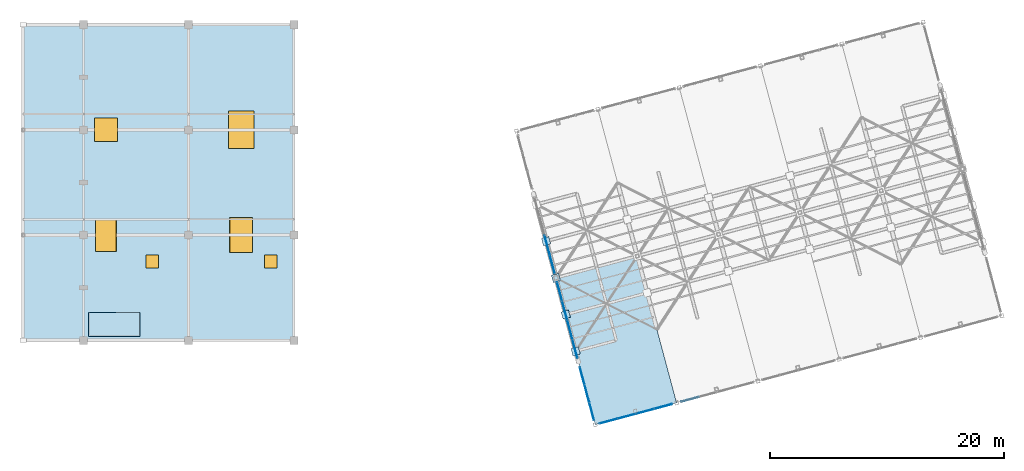
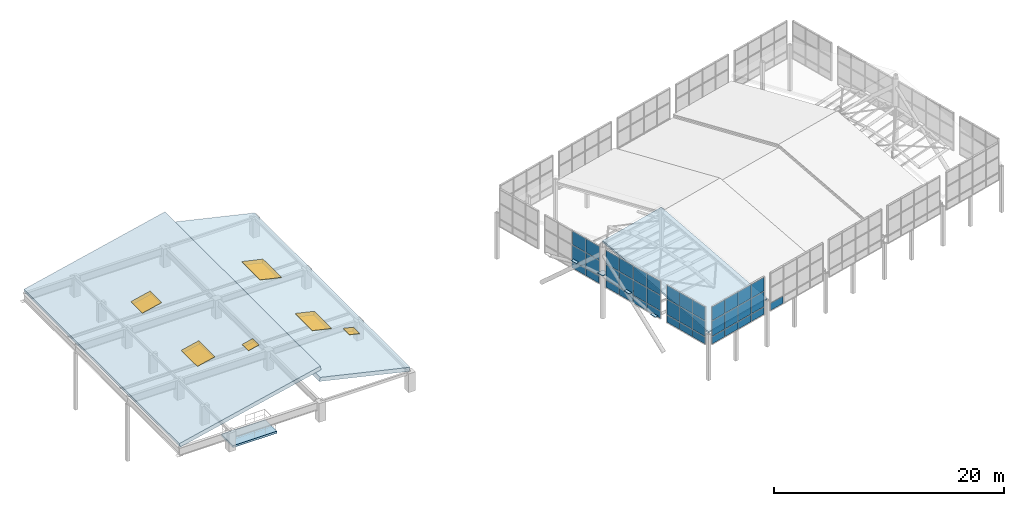
# One storey, part 23 of 28: 44 plates, 4 slabs, 4 windows, 2 doors, 6 openings, 5 elements without a shape of their own.
"""IFC4 building model written with IfcOpenShell, lengths in metres."""

from ifc_helpers import new_model, si_unit, direction, frame, origin, origin_2d, place, context, subcontext, project, spatial, polyline, rectangle, outline, extrude, material, layer, layer_set, type_object, element, fill, aggregate, save


model = new_model("IFC4")

# Units and contexts
model_context = context("Model", 3, precision=1e-05, world=origin(), true_north=direction((0.0, 1.0)))
body_context = subcontext(model_context, "Body", "Model", "MODEL_VIEW")
ifc_project = project(units=[si_unit("LENGTHUNIT", "METRE"), si_unit("AREAUNIT", "SQUARE_METRE"), si_unit("VOLUMEUNIT", "CUBIC_METRE"), si_unit("PLANEANGLEUNIT", "RADIAN"), si_unit("MASSUNIT", "GRAM", prefix="KILO")], contexts=[model_context])

# Site, building, storey
site_placement = place(None, origin())
site = spatial("IfcSite", under=ifc_project, at=site_placement, CompositionType="ELEMENT")
building_placement = place(site_placement, origin())
building = spatial("IfcBuilding", under=site, at=building_placement, Name="Ventoquebrada Cableway Terminal", CompositionType="ELEMENT")
storey_placement = place(building_placement, frame((0.0, 0.0, 23.39990234375)))
storey = spatial("IfcBuildingStorey", under=building, at=storey_placement, Name="RF", CompositionType="ELEMENT", Elevation=23.39990234375)

# Curtain wall, plates
ifc_material_1 = material(Name="Anodized thermally-broken aluminium", Category="aluminium")
ifc_layer_1 = layer(ifc_material_1, 0.159912109375)
ifc_layer_set_1 = layer_set([ifc_layer_1], Name="Anodized thermally-broken aluminium")
curtain_wall_type_1 = type_object("IfcCurtainWallType", Name="CW-T48", PredefinedType="USERDEFINED", material=ifc_layer_set_1)
curtain_wall_1_placement = place(storey_placement, origin())
curtain_wall_1 = element("IfcCurtainWall", 1, at=curtain_wall_1_placement, inside=storey, type_object=curtain_wall_type_1, Name="Unitised glazed curtain wall CW-151", ObjectType="UNITISED CURTAIN WALL", PredefinedType="USERDEFINED")
ifc_material_2 = material(Name="Double low-e laminated safety glazing", Category="glass")
ifc_layer_2 = layer(ifc_material_2, 0.031982421875)
ifc_layer_set_2 = layer_set([ifc_layer_2], Name="Double low-e laminated safety glazing")
plate_type_1 = type_object("IfcPlateType", Name="CWP-GL1", PredefinedType="CURTAIN_PANEL", material=ifc_layer_set_2)
plate_1_placement = place(storey_placement, frame((53.117919921875, 70.090087890625, 2.48876953125), z_axis=(0.0, 0.0, 1.0), x_axis=(0.965943892913, 0.258751610128, 0.0)))
plate_1 = element("IfcPlate", 2, at=plate_1_placement, type_object=plate_type_1, Name="Vision glazing panel PN-1545", PredefinedType="CURTAIN_PANEL", context=body_context, shape_type="SweptSolid", body=[
    extrude(rectangle(XDim=1.5458984375, YDim=0.031982421875, at=origin_2d()), origin(), (0.0, 0.0, 1.0), 1.447021484375),
])
plate_2_placement = place(storey_placement, frame((54.669921875, 70.506103515625, 0.82470703125), z_axis=(0.0, 0.0, 1.0), x_axis=(0.965943892913, 0.258751610128, 0.0)))
plate_2 = element("IfcPlate", 3, at=plate_2_placement, type_object=plate_type_1, Name="Vision glazing panel PN-1547", PredefinedType="CURTAIN_PANEL", context=body_context, shape_type="SweptSolid", body=[
    extrude(rectangle(XDim=1.5810546875, YDim=0.031982421875, at=origin_2d()), origin(), (0.0, 0.0, 1.0), 1.60498046875),
])
plate_3_placement = place(storey_placement, frame((56.239990234375, 70.926025390625, 2.48876953125), z_axis=(0.0, 0.0, 1.0), x_axis=(0.965943892913, 0.258751610128, 0.0)))
plate_3 = element("IfcPlate", 4, at=plate_3_placement, type_object=plate_type_1, Name="Vision glazing panel PN-1551", PredefinedType="CURTAIN_PANEL", context=body_context, shape_type="SweptSolid", body=[
    extrude(rectangle(XDim=1.5810546875, YDim=0.031982421875, at=origin_2d()), origin(), (0.0, 0.0, 1.0), 1.447021484375),
])
plate_4_placement = place(storey_placement, frame((57.79296875, 71.342041015625, 0.82470703125), z_axis=(0.0, 0.0, 1.0), x_axis=(0.965943892913, 0.258751610128, 0.0)))
plate_4 = element("IfcPlate", 5, at=plate_4_placement, type_object=plate_type_1, Name="Vision glazing panel PN-1553", PredefinedType="CURTAIN_PANEL", context=body_context, shape_type="SweptSolid", body=[
    extrude(rectangle(XDim=1.5458984375, YDim=0.031982421875, at=origin_2d()), origin(), (0.0, 0.0, 1.0), 1.60498046875),
])

ifc_layer_3 = layer(ifc_material_1, 0.159912109375)
ifc_layer_set_3 = layer_set([ifc_layer_3], Name="Anodized thermally-broken aluminium")
curtain_wall_type_2 = type_object("IfcCurtainWallType", Name="CW-T49", PredefinedType="USERDEFINED", material=ifc_layer_set_3)
curtain_wall_2_placement = place(storey_placement, origin())
curtain_wall_2 = element("IfcCurtainWall", 6, at=curtain_wall_2_placement, inside=storey, type_object=curtain_wall_type_2, Name="Unitised glazed curtain wall CW-161", ObjectType="UNITISED CURTAIN WALL", PredefinedType="USERDEFINED")
plate_5_placement = place(storey_placement, frame((50.85693359375, 73.968994140625, 2.48876953125), z_axis=(0.0, 0.0, 1.0), x_axis=(0.258717892168, -0.96595292446, 0.0)))
plate_5 = element("IfcPlate", 7, at=plate_5_placement, type_object=plate_type_1, Name="Vision glazing panel PN-1665", PredefinedType="CURTAIN_PANEL", context=body_context, shape_type="SweptSolid", body=[
    extrude(rectangle(XDim=1.52099609375, YDim=0.031982421875, at=origin_2d()), origin(), (0.0, 0.0, 1.0), 1.447021484375),
])
plate_6_placement = place(storey_placement, frame((51.26611328125, 72.43994140625, 0.82470703125), z_axis=(0.0, 0.0, 1.0), x_axis=(0.258717892168, -0.96595292446, 0.0)))
plate_6 = element("IfcPlate", 8, at=plate_6_placement, type_object=plate_type_1, Name="Vision glazing panel PN-1667", PredefinedType="CURTAIN_PANEL", context=body_context, shape_type="SweptSolid", body=[
    extrude(rectangle(XDim=1.555908203125, YDim=0.031982421875, at=origin_2d()), origin(), (0.0, 0.0, 1.0), 1.60498046875),
])
plate_7_placement = place(storey_placement, frame((51.675048828125, 70.912109375, 2.48876953125), z_axis=(0.0, 0.0, 1.0), x_axis=(0.258717892168, -0.96595292446, 0.0)))
plate_7 = element("IfcPlate", 9, at=plate_7_placement, type_object=plate_type_1, Name="Vision glazing panel PN-1671", PredefinedType="CURTAIN_PANEL", context=body_context, shape_type="SweptSolid", body=[
    extrude(rectangle(XDim=1.52099609375, YDim=0.031982421875, at=origin_2d()), origin(), (0.0, 0.0, 1.0), 1.447021484375),
])

ifc_layer_4 = layer(ifc_material_1, 0.159912109375)
ifc_layer_set_4 = layer_set([ifc_layer_4], Name="Anodized thermally-broken aluminium")
curtain_wall_type_3 = type_object("IfcCurtainWallType", Name="CW-T50", PredefinedType="USERDEFINED", material=ifc_layer_set_4)
curtain_wall_3_placement = place(storey_placement, origin())
curtain_wall_3 = element("IfcCurtainWall", 10, at=curtain_wall_3_placement, inside=storey, type_object=curtain_wall_type_3, Name="Unitised glazed curtain wall CW-162", ObjectType="UNITISED CURTAIN WALL", PredefinedType="USERDEFINED")
plate_8_placement = place(storey_placement, frame((48.928955078125, 81.1650390625, 2.48876953125), z_axis=(0.0, 0.0, 1.0), x_axis=(0.258835903649, -0.965921308897, 0.0)))
plate_8 = element("IfcPlate", 11, at=plate_8_placement, type_object=plate_type_1, Name="Vision glazing panel PN-1674", PredefinedType="CURTAIN_PANEL", context=body_context, shape_type="SweptSolid", body=[
    extrude(rectangle(XDim=1.62109375, YDim=0.031982421875, at=origin_2d()), origin(), (0.0, 0.0, 1.0), 1.447021484375),
])
plate_9_placement = place(storey_placement, frame((49.364013671875, 79.5400390625, 0.82470703125), z_axis=(0.0, 0.0, 1.0), x_axis=(0.258835903649, -0.965921308897, 0.0)))
plate_9 = element("IfcPlate", 12, at=plate_9_placement, type_object=plate_type_1, Name="Vision glazing panel PN-1676", PredefinedType="CURTAIN_PANEL", context=body_context, shape_type="SweptSolid", body=[
    extrude(rectangle(XDim=1.656005859375, YDim=0.031982421875, at=origin_2d()), origin(), (0.0, 0.0, 1.0), 1.60498046875),
])
plate_10_placement = place(storey_placement, frame((49.803955078125, 77.89794921875, 2.48876953125), z_axis=(0.0, 0.0, 1.0), x_axis=(0.258835903649, -0.965921308897, 0.0)))
plate_10 = element("IfcPlate", 13, at=plate_10_placement, type_object=plate_type_1, Name="Vision glazing panel PN-1680", PredefinedType="CURTAIN_PANEL", context=body_context, shape_type="SweptSolid", body=[
    extrude(rectangle(XDim=1.656005859375, YDim=0.031982421875, at=origin_2d()), origin(), (0.0, 0.0, 1.0), 1.447021484375),
])
plate_11_placement = place(storey_placement, frame((50.239013671875, 76.27294921875, 0.82470703125), z_axis=(0.0, 0.0, 1.0), x_axis=(0.258835903649, -0.965921308897, 0.0)))
plate_11 = element("IfcPlate", 14, at=plate_11_placement, type_object=plate_type_1, Name="Vision glazing panel PN-1682", PredefinedType="CURTAIN_PANEL", context=body_context, shape_type="SweptSolid", body=[
    extrude(rectangle(XDim=1.62109375, YDim=0.031982421875, at=origin_2d()), origin(), (0.0, 0.0, 1.0), 1.60498046875),
])

curtain_wall_4_placement = place(storey_placement, origin())
curtain_wall_4 = element("IfcCurtainWall", 15, at=curtain_wall_4_placement, inside=storey, type_object=curtain_wall_type_3, Name="Unitised glazed curtain wall CW-163", ObjectType="UNITISED CURTAIN WALL", PredefinedType="USERDEFINED")
plate_12_placement = place(storey_placement, frame((47.863037109375, 85.14208984375, 2.48876953125), z_axis=(0.0, 0.0, 1.0), x_axis=(0.258802186477, -0.965930343386, 0.0)))
plate_12 = element("IfcPlate", 16, at=plate_12_placement, type_object=plate_type_1, Name="Vision glazing panel PN-1692", PredefinedType="CURTAIN_PANEL", context=body_context, shape_type="SweptSolid", body=[
    extrude(rectangle(XDim=1.656005859375, YDim=0.031982421875, at=origin_2d()), origin(), (0.0, 0.0, 1.0), 1.447021484375),
])
plate_13_placement = place(storey_placement, frame((48.298095703125, 83.51708984375, 0.82470703125), z_axis=(0.0, 0.0, 1.0), x_axis=(0.258802186477, -0.965930343386, 0.0)))
plate_13 = element("IfcPlate", 17, at=plate_13_placement, type_object=plate_type_1, Name="Vision glazing panel PN-1694", PredefinedType="CURTAIN_PANEL", context=body_context, shape_type="SweptSolid", body=[
    extrude(rectangle(XDim=1.62109375, YDim=0.031982421875, at=origin_2d()), origin(), (0.0, 0.0, 1.0), 1.60498046875),
])

# Plate
ifc_layer_5 = layer(ifc_material_2, 0.0380859375)
ifc_layer_set_5 = layer_set([ifc_layer_5], Name="Double low-e laminated safety glazing")
plate_type_2 = type_object("IfcPlateType", Name="CWP-GL2", PredefinedType="CURTAIN_PANEL", material=ifc_layer_set_5)
plate_14_placement = place(storey_placement, frame((53.117919921875, 70.090087890625, 0.82470703125), z_axis=(0.0, 0.0, 1.0), x_axis=(0.965943892913, 0.258751610128, 0.0)))
plate_14 = element("IfcPlate", 18, at=plate_14_placement, type_object=plate_type_2, Name="Vision glazing panel PN-1544", PredefinedType="CURTAIN_PANEL", context=body_context, shape_type="SweptSolid", body=[
    extrude(rectangle(XDim=1.5458984375, YDim=0.0380859375, at=origin_2d()), origin(), (0.0, 0.0, 1.0), 1.60498046875),
])

plate_15_placement = place(storey_placement, frame((54.669921875, 70.506103515625, 2.48876953125), z_axis=(0.0, 0.0, 1.0), x_axis=(0.965943892913, 0.258751610128, 0.0)))
plate_15 = element("IfcPlate", 19, at=plate_15_placement, type_object=plate_type_2, Name="Vision glazing panel PN-1548", PredefinedType="CURTAIN_PANEL", context=body_context, shape_type="SweptSolid", body=[
    extrude(rectangle(XDim=1.5810546875, YDim=0.0380859375, at=origin_2d()), origin(), (0.0, 0.0, 1.0), 1.447021484375),
])

plate_16_placement = place(storey_placement, frame((56.239990234375, 70.926025390625, 0.82470703125), z_axis=(0.0, 0.0, 1.0), x_axis=(0.965943892913, 0.258751610128, 0.0)))
plate_16 = element("IfcPlate", 20, at=plate_16_placement, type_object=plate_type_2, Name="Vision glazing panel PN-1550", PredefinedType="CURTAIN_PANEL", context=body_context, shape_type="SweptSolid", body=[
    extrude(rectangle(XDim=1.5810546875, YDim=0.0380859375, at=origin_2d()), origin(), (0.0, 0.0, 1.0), 1.60498046875),
])

plate_17_placement = place(storey_placement, frame((57.79296875, 71.342041015625, 2.48876953125), z_axis=(0.0, 0.0, 1.0), x_axis=(0.965943892913, 0.258751610128, 0.0)))
plate_17 = element("IfcPlate", 21, at=plate_17_placement, type_object=plate_type_2, Name="Vision glazing panel PN-1554", PredefinedType="CURTAIN_PANEL", context=body_context, shape_type="SweptSolid", body=[
    extrude(rectangle(XDim=1.5458984375, YDim=0.0380859375, at=origin_2d()), origin(), (0.0, 0.0, 1.0), 1.447021484375),
])

plate_18_placement = place(storey_placement, frame((50.85693359375, 73.968994140625, 0.82470703125), z_axis=(0.0, 0.0, 1.0), x_axis=(0.258717892168, -0.96595292446, 0.0)))
plate_18 = element("IfcPlate", 22, at=plate_18_placement, type_object=plate_type_2, Name="Vision glazing panel PN-1664", PredefinedType="CURTAIN_PANEL", context=body_context, shape_type="SweptSolid", body=[
    extrude(rectangle(XDim=1.52099609375, YDim=0.0380859375, at=origin_2d()), origin(), (0.0, 0.0, 1.0), 1.60498046875),
])

plate_19_placement = place(storey_placement, frame((51.26611328125, 72.43994140625, 2.48876953125), z_axis=(0.0, 0.0, 1.0), x_axis=(0.258717892168, -0.96595292446, 0.0)))
plate_19 = element("IfcPlate", 23, at=plate_19_placement, type_object=plate_type_2, Name="Vision glazing panel PN-1668", PredefinedType="CURTAIN_PANEL", context=body_context, shape_type="SweptSolid", body=[
    extrude(rectangle(XDim=1.555908203125, YDim=0.0380859375, at=origin_2d()), origin(), (0.0, 0.0, 1.0), 1.447021484375),
])

plate_20_placement = place(storey_placement, frame((51.675048828125, 70.912109375, 0.82470703125), z_axis=(0.0, 0.0, 1.0), x_axis=(0.258717892168, -0.96595292446, 0.0)))
plate_20 = element("IfcPlate", 24, at=plate_20_placement, type_object=plate_type_2, Name="Vision glazing panel PN-1670", PredefinedType="CURTAIN_PANEL", context=body_context, shape_type="SweptSolid", body=[
    extrude(rectangle(XDim=1.52099609375, YDim=0.0380859375, at=origin_2d()), origin(), (0.0, 0.0, 1.0), 1.60498046875),
])

plate_21_placement = place(storey_placement, frame((48.928955078125, 81.1650390625, 0.82470703125), z_axis=(0.0, 0.0, 1.0), x_axis=(0.258835903649, -0.965921308897, 0.0)))
plate_21 = element("IfcPlate", 25, at=plate_21_placement, type_object=plate_type_2, Name="Vision glazing panel PN-1673", PredefinedType="CURTAIN_PANEL", context=body_context, shape_type="SweptSolid", body=[
    extrude(rectangle(XDim=1.62109375, YDim=0.0380859375, at=origin_2d()), origin(), (0.0, 0.0, 1.0), 1.60498046875),
])

plate_22_placement = place(storey_placement, frame((49.364013671875, 79.5400390625, 2.48876953125), z_axis=(0.0, 0.0, 1.0), x_axis=(0.258835903649, -0.965921308897, 0.0)))
plate_22 = element("IfcPlate", 26, at=plate_22_placement, type_object=plate_type_2, Name="Vision glazing panel PN-1677", PredefinedType="CURTAIN_PANEL", context=body_context, shape_type="SweptSolid", body=[
    extrude(rectangle(XDim=1.656005859375, YDim=0.0380859375, at=origin_2d()), origin(), (0.0, 0.0, 1.0), 1.447021484375),
])

plate_23_placement = place(storey_placement, frame((49.803955078125, 77.89794921875, 0.82470703125), z_axis=(0.0, 0.0, 1.0), x_axis=(0.258835903649, -0.965921308897, 0.0)))
plate_23 = element("IfcPlate", 27, at=plate_23_placement, type_object=plate_type_2, Name="Vision glazing panel PN-1679", PredefinedType="CURTAIN_PANEL", context=body_context, shape_type="SweptSolid", body=[
    extrude(rectangle(XDim=1.656005859375, YDim=0.0380859375, at=origin_2d()), origin(), (0.0, 0.0, 1.0), 1.60498046875),
])

plate_24_placement = place(storey_placement, frame((50.239013671875, 76.27294921875, 2.48876953125), z_axis=(0.0, 0.0, 1.0), x_axis=(0.258835903649, -0.965921308897, 0.0)))
plate_24 = element("IfcPlate", 28, at=plate_24_placement, type_object=plate_type_2, Name="Vision glazing panel PN-1683", PredefinedType="CURTAIN_PANEL", context=body_context, shape_type="SweptSolid", body=[
    extrude(rectangle(XDim=1.62109375, YDim=0.0380859375, at=origin_2d()), origin(), (0.0, 0.0, 1.0), 1.447021484375),
])

plate_25_placement = place(storey_placement, frame((47.863037109375, 85.14208984375, 0.82470703125), z_axis=(0.0, 0.0, 1.0), x_axis=(0.258802186477, -0.965930343386, 0.0)))
plate_25 = element("IfcPlate", 29, at=plate_25_placement, type_object=plate_type_2, Name="Vision glazing panel PN-1691", PredefinedType="CURTAIN_PANEL", context=body_context, shape_type="SweptSolid", body=[
    extrude(rectangle(XDim=1.656005859375, YDim=0.0380859375, at=origin_2d()), origin(), (0.0, 0.0, 1.0), 1.60498046875),
])

plate_26_placement = place(storey_placement, frame((48.298095703125, 83.51708984375, 2.48876953125), z_axis=(0.0, 0.0, 1.0), x_axis=(0.258802186477, -0.965930343386, 0.0)))
plate_26 = element("IfcPlate", 30, at=plate_26_placement, type_object=plate_type_2, Name="Vision glazing panel PN-1695", PredefinedType="CURTAIN_PANEL", context=body_context, shape_type="SweptSolid", body=[
    extrude(rectangle(XDim=1.62109375, YDim=0.0380859375, at=origin_2d()), origin(), (0.0, 0.0, 1.0), 1.447021484375),
])

ifc_material_3 = material(Name="Insulated aluminium spandrel cassette", Category="aluminium")
ifc_layer_6 = layer(ifc_material_3, 0.044921875)
ifc_layer_set_6 = layer_set([ifc_layer_6], Name="Insulated aluminium spandrel cassette")
plate_type_3 = type_object("IfcPlateType", Name="CWP-SP1", PredefinedType="CURTAIN_PANEL", material=ifc_layer_set_6)
plate_27_placement = place(storey_placement, frame((53.117919921875, 70.090087890625, 0.01025390625), z_axis=(0.0, 0.0, 1.0), x_axis=(0.965943892913, 0.258751610128, 0.0)))
plate_27 = element("IfcPlate", 31, at=plate_27_placement, type_object=plate_type_3, Name="Insulated spandrel panel PN-1543", PredefinedType="CURTAIN_PANEL", context=body_context, shape_type="SweptSolid", body=[
    extrude(rectangle(XDim=1.5458984375, YDim=0.044921875, at=origin_2d()), origin(), (0.0, 0.0, 1.0), 0.756103515625),
])

plate_28_placement = place(storey_placement, frame((54.669921875, 70.506103515625, 0.01025390625), z_axis=(0.0, 0.0, 1.0), x_axis=(0.965943892913, 0.258751610128, 0.0)))
plate_28 = element("IfcPlate", 32, at=plate_28_placement, type_object=plate_type_3, Name="Insulated spandrel panel PN-1546", PredefinedType="CURTAIN_PANEL", context=body_context, shape_type="SweptSolid", body=[
    extrude(rectangle(XDim=1.5810546875, YDim=0.044921875, at=origin_2d()), origin(), (0.0, 0.0, 1.0), 0.756103515625),
])

plate_29_placement = place(storey_placement, frame((56.239990234375, 70.926025390625, 0.01025390625), z_axis=(0.0, 0.0, 1.0), x_axis=(0.965943892913, 0.258751610128, 0.0)))
plate_29 = element("IfcPlate", 33, at=plate_29_placement, type_object=plate_type_3, Name="Insulated spandrel panel PN-1549", PredefinedType="CURTAIN_PANEL", context=body_context, shape_type="SweptSolid", body=[
    extrude(rectangle(XDim=1.5810546875, YDim=0.044921875, at=origin_2d()), origin(), (0.0, 0.0, 1.0), 0.756103515625),
])

plate_30_placement = place(storey_placement, frame((57.79296875, 71.342041015625, 0.01025390625), z_axis=(0.0, 0.0, 1.0), x_axis=(0.965943892913, 0.258751610128, 0.0)))
plate_30 = element("IfcPlate", 34, at=plate_30_placement, type_object=plate_type_3, Name="Insulated spandrel panel PN-1552", PredefinedType="CURTAIN_PANEL", context=body_context, shape_type="SweptSolid", body=[
    extrude(rectangle(XDim=1.5458984375, YDim=0.044921875, at=origin_2d()), origin(), (0.0, 0.0, 1.0), 0.756103515625),
])

aggregate(curtain_wall_1, [plate_27, plate_14, plate_1, plate_28, plate_2, plate_15, plate_29, plate_16, plate_3, plate_30, plate_4, plate_17])

# Curtain wall, plate
curtain_wall_5_placement = place(storey_placement, origin())
curtain_wall_5 = element("IfcCurtainWall", 35, at=curtain_wall_5_placement, inside=storey, type_object=curtain_wall_type_1, Name="Unitised glazed curtain wall CW-152", ObjectType="UNITISED CURTAIN WALL", PredefinedType="USERDEFINED")
plate_31_placement = place(storey_placement, frame((60.072998046875, 71.952880859375, 0.01025390625), z_axis=(0.0, 0.0, 1.0), x_axis=(0.965894198369, 0.258937053273, 0.0)))
plate_31 = element("IfcPlate", 36, at=plate_31_placement, type_object=plate_type_3, Name="Insulated spandrel panel PN-1555", PredefinedType="CURTAIN_PANEL", context=body_context, shape_type="SweptSolid", body=[
    extrude(rectangle(XDim=1.5458984375, YDim=0.044921875, at=origin_2d()), origin(), (0.0, 0.0, 1.0), 0.756103515625),
])
aggregate(curtain_wall_5, [plate_31])

# Plate
plate_32_placement = place(storey_placement, frame((50.85693359375, 73.968994140625, 0.01025390625), z_axis=(0.0, 0.0, 1.0), x_axis=(0.258717892168, -0.96595292446, 0.0)))
plate_32 = element("IfcPlate", 37, at=plate_32_placement, type_object=plate_type_3, Name="Insulated spandrel panel PN-1663", PredefinedType="CURTAIN_PANEL", context=body_context, shape_type="SweptSolid", body=[
    extrude(rectangle(XDim=1.52099609375, YDim=0.044921875, at=origin_2d()), origin(), (0.0, 0.0, 1.0), 0.756103515625),
])

plate_33_placement = place(storey_placement, frame((51.26611328125, 72.43994140625, 0.01025390625), z_axis=(0.0, 0.0, 1.0), x_axis=(0.258717892168, -0.96595292446, 0.0)))
plate_33 = element("IfcPlate", 38, at=plate_33_placement, type_object=plate_type_3, Name="Insulated spandrel panel PN-1666", PredefinedType="CURTAIN_PANEL", context=body_context, shape_type="SweptSolid", body=[
    extrude(rectangle(XDim=1.555908203125, YDim=0.044921875, at=origin_2d()), origin(), (0.0, 0.0, 1.0), 0.756103515625),
])

plate_34_placement = place(storey_placement, frame((51.675048828125, 70.912109375, 0.01025390625), z_axis=(0.0, 0.0, 1.0), x_axis=(0.258717892168, -0.96595292446, 0.0)))
plate_34 = element("IfcPlate", 39, at=plate_34_placement, type_object=plate_type_3, Name="Insulated spandrel panel PN-1669", PredefinedType="CURTAIN_PANEL", context=body_context, shape_type="SweptSolid", body=[
    extrude(rectangle(XDim=1.52099609375, YDim=0.044921875, at=origin_2d()), origin(), (0.0, 0.0, 1.0), 0.756103515625),
])

aggregate(curtain_wall_2, [plate_32, plate_18, plate_5, plate_33, plate_6, plate_19, plate_34, plate_20, plate_7])

plate_35_placement = place(storey_placement, frame((48.928955078125, 81.1650390625, 0.01025390625), z_axis=(0.0, 0.0, 1.0), x_axis=(0.258835903649, -0.965921308897, 0.0)))
plate_35 = element("IfcPlate", 40, at=plate_35_placement, type_object=plate_type_3, Name="Insulated spandrel panel PN-1672", PredefinedType="CURTAIN_PANEL", context=body_context, shape_type="SweptSolid", body=[
    extrude(rectangle(XDim=1.62109375, YDim=0.044921875, at=origin_2d()), origin(), (0.0, 0.0, 1.0), 0.756103515625),
])

plate_36_placement = place(storey_placement, frame((49.364013671875, 79.5400390625, 0.01025390625), z_axis=(0.0, 0.0, 1.0), x_axis=(0.258835903649, -0.965921308897, 0.0)))
plate_36 = element("IfcPlate", 41, at=plate_36_placement, type_object=plate_type_3, Name="Insulated spandrel panel PN-1675", PredefinedType="CURTAIN_PANEL", context=body_context, shape_type="SweptSolid", body=[
    extrude(rectangle(XDim=1.656005859375, YDim=0.044921875, at=origin_2d()), origin(), (0.0, 0.0, 1.0), 0.756103515625),
])

plate_37_placement = place(storey_placement, frame((49.803955078125, 77.89794921875, 0.01025390625), z_axis=(0.0, 0.0, 1.0), x_axis=(0.258835903649, -0.965921308897, 0.0)))
plate_37 = element("IfcPlate", 42, at=plate_37_placement, type_object=plate_type_3, Name="Insulated spandrel panel PN-1678", PredefinedType="CURTAIN_PANEL", context=body_context, shape_type="SweptSolid", body=[
    extrude(rectangle(XDim=1.656005859375, YDim=0.044921875, at=origin_2d()), origin(), (0.0, 0.0, 1.0), 0.756103515625),
])

plate_38_placement = place(storey_placement, frame((50.239013671875, 76.27294921875, 0.01025390625), z_axis=(0.0, 0.0, 1.0), x_axis=(0.258835903649, -0.965921308897, 0.0)))
plate_38 = element("IfcPlate", 43, at=plate_38_placement, type_object=plate_type_3, Name="Insulated spandrel panel PN-1681", PredefinedType="CURTAIN_PANEL", context=body_context, shape_type="SweptSolid", body=[
    extrude(rectangle(XDim=1.62109375, YDim=0.044921875, at=origin_2d()), origin(), (0.0, 0.0, 1.0), 0.756103515625),
])

aggregate(curtain_wall_3, [plate_35, plate_21, plate_8, plate_36, plate_9, plate_22, plate_37, plate_23, plate_10, plate_38, plate_11, plate_24])

plate_39_placement = place(storey_placement, frame((47.863037109375, 85.14208984375, 0.01025390625), z_axis=(0.0, 0.0, 1.0), x_axis=(0.258802186477, -0.965930343386, 0.0)))
plate_39 = element("IfcPlate", 44, at=plate_39_placement, type_object=plate_type_3, Name="Insulated spandrel panel PN-1690", PredefinedType="CURTAIN_PANEL", context=body_context, shape_type="SweptSolid", body=[
    extrude(rectangle(XDim=1.656005859375, YDim=0.044921875, at=origin_2d()), origin(), (0.0, 0.0, 1.0), 0.756103515625),
])

plate_40_placement = place(storey_placement, frame((48.298095703125, 83.51708984375, 0.01025390625), z_axis=(0.0, 0.0, 1.0), x_axis=(0.258802186477, -0.965930343386, 0.0)))
plate_40 = element("IfcPlate", 45, at=plate_40_placement, type_object=plate_type_3, Name="Insulated spandrel panel PN-1693", PredefinedType="CURTAIN_PANEL", context=body_context, shape_type="SweptSolid", body=[
    extrude(rectangle(XDim=1.62109375, YDim=0.044921875, at=origin_2d()), origin(), (0.0, 0.0, 1.0), 0.756103515625),
])

aggregate(curtain_wall_4, [plate_39, plate_25, plate_12, plate_40, plate_13, plate_26])

# Plates
ifc_material_4 = material(Name="Steel ASTM A572 Grade 50", Category="steel")
ifc_layer_7 = layer(ifc_material_4, 0.030029296875)
ifc_layer_set_7 = layer_set([ifc_layer_7], Name="Steel ASTM A572 Grade 50")
plate_type_4 = type_object("IfcPlateType", Name="ND-PL01", PredefinedType="SHEET", material=ifc_layer_set_7)
for number, where, z_axis, x_axis, name in (
    (46, (50.2958984375, 76.06298828125, 0.10498046875), (0.0, 0.0, 1.0), (0.965925826289, 0.258819045103, 0.0), "Gridshell welded node cap plate ND-002"),
    (47, (49.4541015625, 79.201904296875, 0.98193359375), (0.0, 0.0, 1.0), (0.965925826289, 0.258819045103, 0.0), "Gridshell welded node cap plate ND-003"),
    (48, (48.613037109375, 82.341064453125, 1.27490234375), (0.0, 0.0, 1.0), (0.965925826289, 0.258819045103, 0.0), "Gridshell welded node cap plate ND-004"),
    (49, (47.77197265625, 85.48095703125, 0.98193359375), (0.0, 0.0, 1.0), (0.965925826289, 0.258819045103, 0.0), "Gridshell welded node cap plate ND-005"),
):
    element("IfcPlate", number, at=place(storey_placement, frame(where, z_axis=z_axis, x_axis=x_axis)), inside=storey, type_object=plate_type_4, Name=name, PredefinedType="SHEET", context=body_context, shape_type="SweptSolid", body=[
        extrude(rectangle(XDim=0.64990234375, YDim=0.64990234375, at=origin_2d()), origin(), (0.0, 0.0, 1.0), 0.030029296875),
    ])

# Slab
ifc_material_5 = material(Name="Concrete C40/50", Category="concrete")
ifc_layer_8 = layer(ifc_material_5, 0.219970703125)
ifc_layer_set_8 = layer_set([ifc_layer_8], Name="Concrete C40/50")
slab_type_1 = type_object("IfcSlabType", Name="SL-LD1", PredefinedType="LANDING", material=ifc_layer_set_8)
slab_1_placement = place(storey_placement, frame((0.0, 0.0, -0.219970703125)))
element("IfcSlab", 50, at=slab_1_placement, inside=storey, type_object=slab_type_1, Name="Roof maintenance stair arrival landing LDG-RF01", PredefinedType="LANDING", context=body_context, shape_type="SweptSolid", body=[
    extrude(outline(polyline([(8.64990234375, 77.35009765625), (13.050048828125, 77.35009765625), (13.050048828125, 79.389892578125), (8.64990234375, 79.389892578125), (8.64990234375, 77.35009765625)])), origin(), (0.0, 0.0, 1.0), 0.219970703125),
])

# Slab, openings, door, windows
ifc_material_6 = material(Name="Concrete C45/55", Category="concrete")
ifc_layer_9 = layer(ifc_material_6, 0.409912109375)
ifc_layer_set_9 = layer_set([ifc_layer_9], Name="Concrete C45/55")
slab_type_2 = type_object("IfcSlabType", Name="SL-RF2", PredefinedType="ROOF", material=ifc_layer_set_9)
slab_2_placement = place(storey_placement, frame((3.142333984375, 77.0, 1.980712890625), z_axis=(-0.224972463844, 0.0, 0.974365121765), x_axis=(0.974365121765, 0.0, 0.224972463844)))
slab_2 = element("IfcSlab", 51, at=slab_2_placement, inside=storey, type_object=slab_type_2, Name="Folded roof slab SL-107", PredefinedType="ROOF", context=body_context, shape_type="SweptSolid", body=[
    extrude(outline(polyline([(0.0, 0.0), (14.52217657187779, 0.0), (14.52217657187779, 27.0), (0.0, 27.0), (0.0, 0.0)])), origin(), (0.0, 0.0, 1.0), 0.409912109375),
])
opening_1_placement = place(slab_2_placement, frame((7.260986328125, 9.0, -0.010009765625), z_axis=(0.0, 0.0, 1.0), x_axis=(0.0, 1.0, 0.0)))
opening_1 = element("IfcOpeningElement", 52, at=opening_1_placement, cuts=slab_2, Name="Opening SKY-08", PredefinedType="OPENING", context=body_context, shape_type="SweptSolid", body=[
    extrude(rectangle(XDim=2.800048828125, YDim=1.800048828125, at=origin_2d()), origin(), (0.0, 0.0, 1.0), 0.429931640625),
])
opening_2_placement = place(slab_2_placement, frame((7.260986328125, 18.0, -0.010009765625), z_axis=(0.0, 0.0, 1.0), x_axis=(1.0, 0.0, 0.0)))
opening_2 = element("IfcOpeningElement", 53, at=opening_2_placement, cuts=slab_2, Name="Opening SKY-09", PredefinedType="OPENING", context=body_context, shape_type="SweptSolid", body=[
    extrude(rectangle(XDim=2.0, YDim=2.0, at=origin_2d()), origin(), (0.0, 0.0, 1.0), 0.429931640625),
])
opening_3_placement = place(slab_2_placement, frame((11.3271484375, 6.75, -0.010009765625), z_axis=(0.0, 0.0, 1.0), x_axis=(0.0, 1.0, 0.0)))
opening_3 = element("IfcOpeningElement", 54, at=opening_3_placement, cuts=slab_2, Name="Opening RH-01", PredefinedType="OPENING", context=body_context, shape_type="SweptSolid", body=[
    extrude(rectangle(XDim=1.10009765625, YDim=1.10009765625, at=origin_2d()), origin(), (0.0, 0.0, 1.0), 0.429931640625),
])
ifc_material_7 = material(Name="Galvanized acoustic steel door assembly", Category="steel")
door_type = type_object("IfcDoorType", Name="DT-RH01", OperationType="SINGLE_SWING_LEFT", PredefinedType="TRAPDOOR", material=ifc_material_7)
door_1_placement = place(opening_3_placement, frame((0.0, 0.0, 0.33984375)))
door_1 = element("IfcDoor", 55, at=door_1_placement, inside=storey, type_object=door_type, Name="Insulated roof maintenance access hatch RH-01", OperationType="SINGLE_SWING_RIGHT", OverallHeight=1.10009765625, OverallWidth=1.10009765625, PredefinedType="TRAPDOOR", context=body_context, shape_type="SweptSolid", body=[
    extrude(rectangle(XDim=1.10009765625, YDim=1.10009765625, at=origin_2d()), origin(), (0.0, 0.0, 1.0), 0.080078125),
])
fill(opening_3, door_1)
window_type_1 = type_object("IfcWindowType", Name="SK-02", PartitioningType="SINGLE_PANEL", PredefinedType="SKYLIGHT", material=ifc_material_2)
window_1_placement = place(opening_1_placement, frame((0.0, 0.0, 0.33984375)))
window_1 = element("IfcWindow", 56, at=window_1_placement, inside=storey, type_object=window_type_1, Name="Sawtooth northlight skylight SKY-08", OverallHeight=1.800048828125, OverallWidth=2.800048828125, PartitioningType="SINGLE_PANEL", PredefinedType="SKYLIGHT", context=body_context, shape_type="SweptSolid", body=[
    extrude(rectangle(XDim=2.800048828125, YDim=1.800048828125, at=origin_2d()), origin(), (0.0, 0.0, 1.0), 0.080078125),
])
fill(opening_1, window_1)
window_type_2 = type_object("IfcWindowType", Name="SK-03", PartitioningType="SINGLE_PANEL", PredefinedType="SKYLIGHT", material=ifc_material_2)
window_2_placement = place(opening_2_placement, frame((0.0, 0.0, 0.33984375)))
window_2 = element("IfcWindow", 57, at=window_2_placement, inside=storey, type_object=window_type_2, Name="Sawtooth northlight skylight SKY-09", OverallHeight=2.0, OverallWidth=2.0, PartitioningType="SINGLE_PANEL", PredefinedType="SKYLIGHT", context=body_context, shape_type="SweptSolid", body=[
    extrude(rectangle(XDim=2.0, YDim=2.0, at=origin_2d()), origin(), (0.0, 0.0, 1.0), 0.080078125),
])
fill(opening_2, window_2)

slab_3_placement = place(storey_placement, frame((17.107666015625, 77.0, 4.05859375), z_axis=(0.224957955227, 0.0, 0.974368471565), x_axis=(0.974368471565, 0.0, -0.224957955227)))
slab_3 = element("IfcSlab", 58, at=slab_3_placement, inside=storey, type_object=slab_type_2, Name="Folded roof slab SL-108", PredefinedType="ROOF", context=body_context, shape_type="SweptSolid", body=[
    extrude(outline(polyline([(0.0, 0.0), (9.236752073416119, 0.0), (9.236752073416119, 27.0), (0.0, 27.0), (0.0, 0.0)])), origin(), (0.0, 0.0, 1.0), 0.409912109375),
])
opening_4_placement = place(slab_3_placement, frame((4.618408203125, 9.0, -0.010009765625), z_axis=(0.0, 0.0, 1.0), x_axis=(0.0, 1.0, 0.0)))
opening_4 = element("IfcOpeningElement", 59, at=opening_4_placement, cuts=slab_3, Name="Opening SKY-10", PredefinedType="OPENING", context=body_context, shape_type="SweptSolid", body=[
    extrude(rectangle(XDim=3.0, YDim=2.0, at=origin_2d()), origin(), (0.0, 0.0, 1.0), 0.429931640625),
])
opening_5_placement = place(slab_3_placement, frame((4.618408203125, 18.0, -0.010009765625), z_axis=(0.0, 0.0, 1.0), x_axis=(0.0, 1.0, 0.0)))
opening_5 = element("IfcOpeningElement", 60, at=opening_5_placement, cuts=slab_3, Name="Opening SKY-11", PredefinedType="OPENING", context=body_context, shape_type="SweptSolid", body=[
    extrude(rectangle(XDim=3.199951171875, YDim=2.199951171875, at=origin_2d()), origin(), (0.0, 0.0, 1.0), 0.429931640625),
])
opening_6_placement = place(slab_3_placement, frame((7.20458984375, 6.75, -0.010009765625), z_axis=(0.0, 0.0, 1.0), x_axis=(0.0, 1.0, 0.0)))
opening_6 = element("IfcOpeningElement", 61, at=opening_6_placement, cuts=slab_3, Name="Opening RH-02", PredefinedType="OPENING", context=body_context, shape_type="SweptSolid", body=[
    extrude(rectangle(XDim=1.10009765625, YDim=1.10009765625, at=origin_2d()), origin(), (0.0, 0.0, 1.0), 0.429931640625),
])
door_2_placement = place(opening_6_placement, frame((0.0, 0.0, 0.33984375)))
door_2 = element("IfcDoor", 62, at=door_2_placement, inside=storey, type_object=door_type, Name="Insulated roof maintenance access hatch RH-02", OperationType="SINGLE_SWING_LEFT", OverallHeight=1.10009765625, OverallWidth=1.10009765625, PredefinedType="TRAPDOOR", context=body_context, shape_type="SweptSolid", body=[
    extrude(rectangle(XDim=1.10009765625, YDim=1.10009765625, at=origin_2d()), origin(), (0.0, 0.0, 1.0), 0.080078125),
])
fill(opening_6, door_2)
window_type_3 = type_object("IfcWindowType", Name="SK-04", PartitioningType="SINGLE_PANEL", PredefinedType="SKYLIGHT", material=ifc_material_2)
window_3_placement = place(opening_4_placement, frame((0.0, 0.0, 0.33984375)))
window_3 = element("IfcWindow", 63, at=window_3_placement, inside=storey, type_object=window_type_3, Name="Sawtooth northlight skylight SKY-10", OverallHeight=2.0, OverallWidth=3.0, PartitioningType="SINGLE_PANEL", PredefinedType="SKYLIGHT", context=body_context, shape_type="SweptSolid", body=[
    extrude(rectangle(XDim=3.0, YDim=2.0, at=origin_2d()), origin(), (0.0, 0.0, 1.0), 0.080078125),
])
fill(opening_4, window_3)
window_type_4 = type_object("IfcWindowType", Name="SK-05", PartitioningType="SINGLE_PANEL", PredefinedType="SKYLIGHT", material=ifc_material_2)
window_4_placement = place(opening_5_placement, frame((0.0, 0.0, 0.33984375)))
window_4 = element("IfcWindow", 64, at=window_4_placement, inside=storey, type_object=window_type_4, Name="Sawtooth northlight skylight SKY-11", OverallHeight=2.199951171875, OverallWidth=3.199951171875, PartitioningType="SINGLE_PANEL", PredefinedType="SKYLIGHT", context=body_context, shape_type="SweptSolid", body=[
    extrude(rectangle(XDim=3.199951171875, YDim=2.199951171875, at=origin_2d()), origin(), (0.0, 0.0, 1.0), 0.080078125),
])
fill(opening_5, window_4)

# Slab
ifc_layer_10 = layer(ifc_material_6, 0.260009765625)
ifc_layer_set_10 = layer_set([ifc_layer_10], Name="Concrete C45/55")
slab_type_3 = type_object("IfcSlabType", Name="SL-RF3", PredefinedType="ROOF", material=ifc_layer_set_10)
slab_4_placement = place(storey_placement, frame((51.966064453125, 69.828369140625, 1.3056640625), z_axis=(0.062624947884, -0.233668567822, 0.970297437034), x_axis=(0.96591172503, 0.258871665986, 0.0)))
element("IfcSlab", 65, at=slab_4_placement, inside=storey, type_object=slab_type_3, Name="Saddle gridshell structural roof deck SL-093", PredefinedType="ROOF", context=body_context, shape_type="SweptSolid", body=[
    extrude(outline(polyline([(0.0, 0.0), (7.20053183409326, 0.0), (7.200933192058639, 13.398137699915607), (0.000401357965379678, 13.398137699915608), (0.0, 0.0)])), origin(), (0.0, 0.0, 1.0), 0.18994140625),
])

save(model, "model.ifc")
